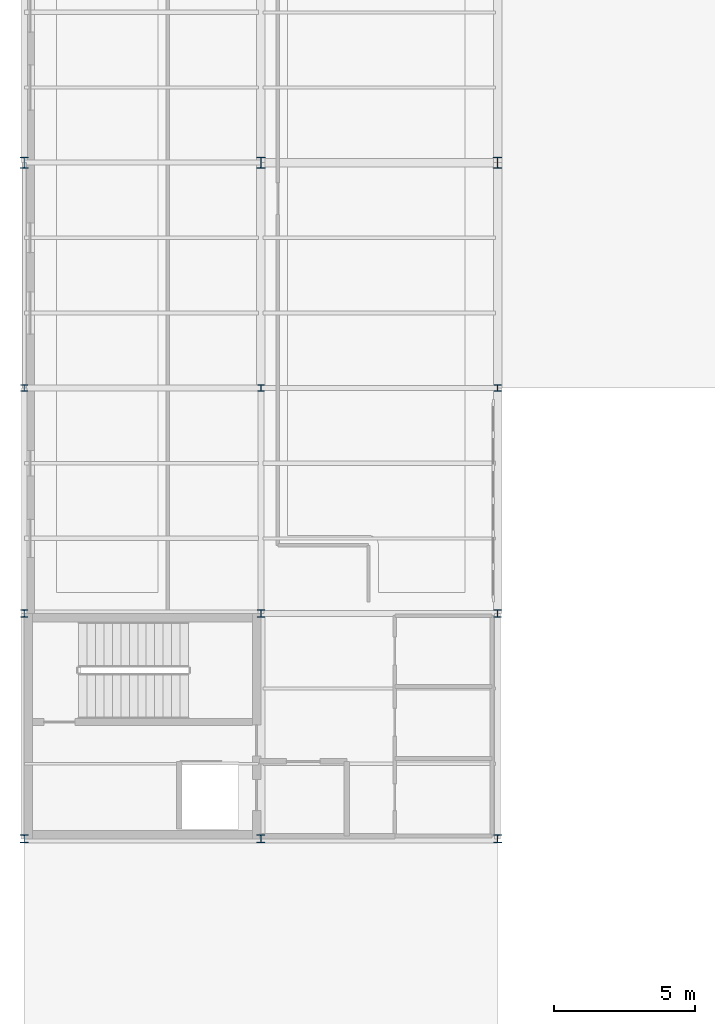
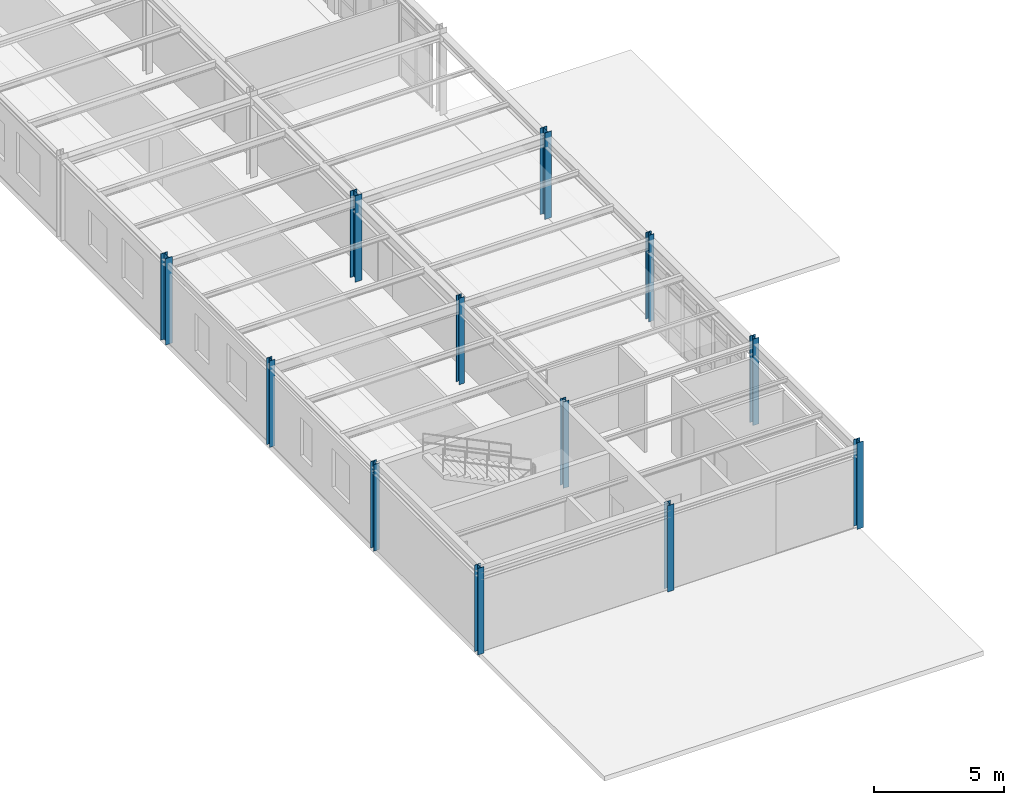
# One storey, part 1 of 58: 12 columns.
"""IFC4 building model written with IfcOpenShell, lengths in metres."""

from ifc_helpers import new_model, si_unit, derived_unit, direction, frame, origin, origin_2d, place, context, subcontext, project, spatial, i_section, extrude, material, material_profile, profile_set, type_object, element, save


model = new_model("IFC4")

# Units and contexts
model_context = context("Model", 3, precision=1e-05, world=origin(), true_north=direction((0.0, 1.0)))
body_context = subcontext(model_context, "Body", "Model", "MODEL_VIEW")
ifc_project = project(units=[si_unit("LENGTHUNIT", "METRE"), si_unit("AREAUNIT", "SQUARE_METRE"), si_unit("VOLUMEUNIT", "CUBIC_METRE"), si_unit("PLANEANGLEUNIT", "RADIAN"), si_unit("MASSUNIT", "GRAM", prefix="KILO"), derived_unit("THERMALTRANSMITTANCEUNIT", [(si_unit("POWERUNIT", "WATT"), 1), (si_unit("AREAUNIT", "SQUARE_METRE"), -1), (si_unit("THERMODYNAMICTEMPERATUREUNIT", "KELVIN"), -1)])], contexts=[model_context])

# Site, building, storey
site_placement = place(None, origin())
site = spatial("IfcSite", under=ifc_project, at=site_placement, CompositionType="ELEMENT")
building_placement = place(site_placement, origin())
building = spatial("IfcBuilding", under=site, at=building_placement, Name="Yasenodar Specialist Clinic", CompositionType="ELEMENT")
storey_placement = place(building_placement, frame((0.0, 0.0, 17.25)))
storey = spatial("IfcBuildingStorey", under=building, at=storey_placement, Name="L04", CompositionType="ELEMENT", Elevation=17.25)

# Columns
ifc_material = material(Name="Steel S355", Category="steel")
ifc_material_profile_1 = material_profile(ifc_material, i_section(OverallWidth=0.300048828125, OverallDepth=0.389892578125, WebThickness=0.010986328125, FlangeThickness=0.01904296875, FilletRadius=0.027099609375, at=origin_2d()), Name="HEA 400")
ifc_profile_set_1 = profile_set([ifc_material_profile_1], Name="Steel S355")
column_type_1 = type_object("IfcColumnType", Name="COL-ST-HEA400", PredefinedType="COLUMN", material=ifc_profile_set_1)
for number, where, z_axis, x_axis, name in (
    (1, (0.0, 58.800048828125, 0.0), (0.0, 0.0, 1.0), (1.0, 0.0, 0.0), "L04 Column V4-008"),
    (2, (8.39990234375, 58.800048828125, 0.0), (0.0, 0.0, 1.0), (1.0, 0.0, 0.0), "L04 Column V4-023"),
    (3, (16.800048828125, 58.800048828125, 0.0), (0.0, 0.0, 1.0), (1.0, 0.0, 0.0), "L04 Column V4-038"),
):
    element("IfcColumn", number, at=place(storey_placement, frame(where, z_axis=z_axis, x_axis=x_axis)), inside=storey, type_object=column_type_1, Name=name, PredefinedType="COLUMN", context=body_context, shape_type="SweptSolid", body=[
        extrude(i_section(OverallWidth=0.300048828125, OverallDepth=0.389892578125, WebThickness=0.010986328125, FlangeThickness=0.01904296875, FilletRadius=0.027099609375, at=origin_2d()), origin(), (0.0, 0.0, 1.0), 4.050048828125),
    ])
ifc_material_profile_2 = material_profile(ifc_material, i_section(OverallWidth=0.239990234375, OverallDepth=0.239990234375, WebThickness=0.010009765625, FlangeThickness=0.01708984375, FilletRadius=0.02099609375, at=origin_2d()), Name="HEB 240")
ifc_profile_set_2 = profile_set([ifc_material_profile_2], Name="Steel S355")
column_type_2 = type_object("IfcColumnType", Name="COL-ST-HEB240", PredefinedType="COLUMN", material=ifc_profile_set_2)
for number, where, z_axis, x_axis, name in (
    (4, (0.0, 50.800048828125, 0.0), (0.0, 0.0, 1.0), (1.0, 0.0, 0.0), "L04 Column V4-007"),
    (5, (8.39990234375, 50.800048828125, 0.0), (0.0, 0.0, 1.0), (1.0, 0.0, 0.0), "L04 Column V4-022"),
    (6, (16.800048828125, 50.800048828125, 0.0), (0.0, 0.0, 1.0), (1.0, 0.0, 0.0), "L04 Column V4-037"),
):
    element("IfcColumn", number, at=place(storey_placement, frame(where, z_axis=z_axis, x_axis=x_axis)), inside=storey, type_object=column_type_2, Name=name, PredefinedType="COLUMN", context=body_context, shape_type="SweptSolid", body=[
        extrude(i_section(OverallWidth=0.239990234375, OverallDepth=0.239990234375, WebThickness=0.010009765625, FlangeThickness=0.01708984375, FilletRadius=0.02099609375, at=origin_2d()), origin(), (0.0, 0.0, 1.0), 4.050048828125),
    ])
ifc_material_profile_3 = material_profile(ifc_material, i_section(OverallWidth=0.260009765625, OverallDepth=0.260009765625, WebThickness=0.010009765625, FlangeThickness=0.017578125, FilletRadius=0.02392578125, at=origin_2d()), Name="HEB 260")
ifc_profile_set_3 = profile_set([ifc_material_profile_3], Name="Steel S355")
column_type_3 = type_object("IfcColumnType", Name="COL-ST-HEB260", PredefinedType="COLUMN", material=ifc_profile_set_3)
for number, where, z_axis, x_axis, name in (
    (7, (0.0, 42.800048828125, 0.0), (0.0, 0.0, 1.0), (1.0, 0.0, 0.0), "L04 Column V4-006"),
    (8, (8.39990234375, 42.800048828125, 0.0), (0.0, 0.0, 1.0), (1.0, 0.0, 0.0), "L04 Column V4-021"),
    (9, (16.800048828125, 42.800048828125, 0.0), (0.0, 0.0, 1.0), (1.0, 0.0, 0.0), "L04 Column V4-036"),
):
    element("IfcColumn", number, at=place(storey_placement, frame(where, z_axis=z_axis, x_axis=x_axis)), inside=storey, type_object=column_type_3, Name=name, PredefinedType="COLUMN", context=body_context, shape_type="SweptSolid", body=[
        extrude(i_section(OverallWidth=0.260009765625, OverallDepth=0.260009765625, WebThickness=0.010009765625, FlangeThickness=0.017578125, FilletRadius=0.02392578125, at=origin_2d()), origin(), (0.0, 0.0, 1.0), 4.050048828125),
    ])
ifc_material_profile_4 = material_profile(ifc_material, i_section(OverallWidth=0.280029296875, OverallDepth=0.280029296875, WebThickness=0.010498046875, FlangeThickness=0.01806640625, FilletRadius=0.02392578125, at=origin_2d()), Name="HEB 280")
ifc_profile_set_4 = profile_set([ifc_material_profile_4], Name="Steel S355")
column_type_4 = type_object("IfcColumnType", Name="COL-ST-HEB280", PredefinedType="COLUMN", material=ifc_profile_set_4)
for number, where, z_axis, x_axis, name in (
    (10, (0.0, 34.800048828125, 0.0), (0.0, 0.0, 1.0), (1.0, 0.0, 0.0), "L04 Column V4-005"),
    (11, (8.39990234375, 34.800048828125, 0.0), (0.0, 0.0, 1.0), (1.0, 0.0, 0.0), "L04 Column V4-020"),
    (12, (16.800048828125, 34.800048828125, 0.0), (0.0, 0.0, 1.0), (1.0, 0.0, 0.0), "L04 Column V4-035"),
):
    element("IfcColumn", number, at=place(storey_placement, frame(where, z_axis=z_axis, x_axis=x_axis)), inside=storey, type_object=column_type_4, Name=name, PredefinedType="COLUMN", context=body_context, shape_type="SweptSolid", body=[
        extrude(i_section(OverallWidth=0.280029296875, OverallDepth=0.280029296875, WebThickness=0.010498046875, FlangeThickness=0.01806640625, FilletRadius=0.02392578125, at=origin_2d()), origin(), (0.0, 0.0, 1.0), 4.050048828125),
    ])

save(model, "model.ifc")
